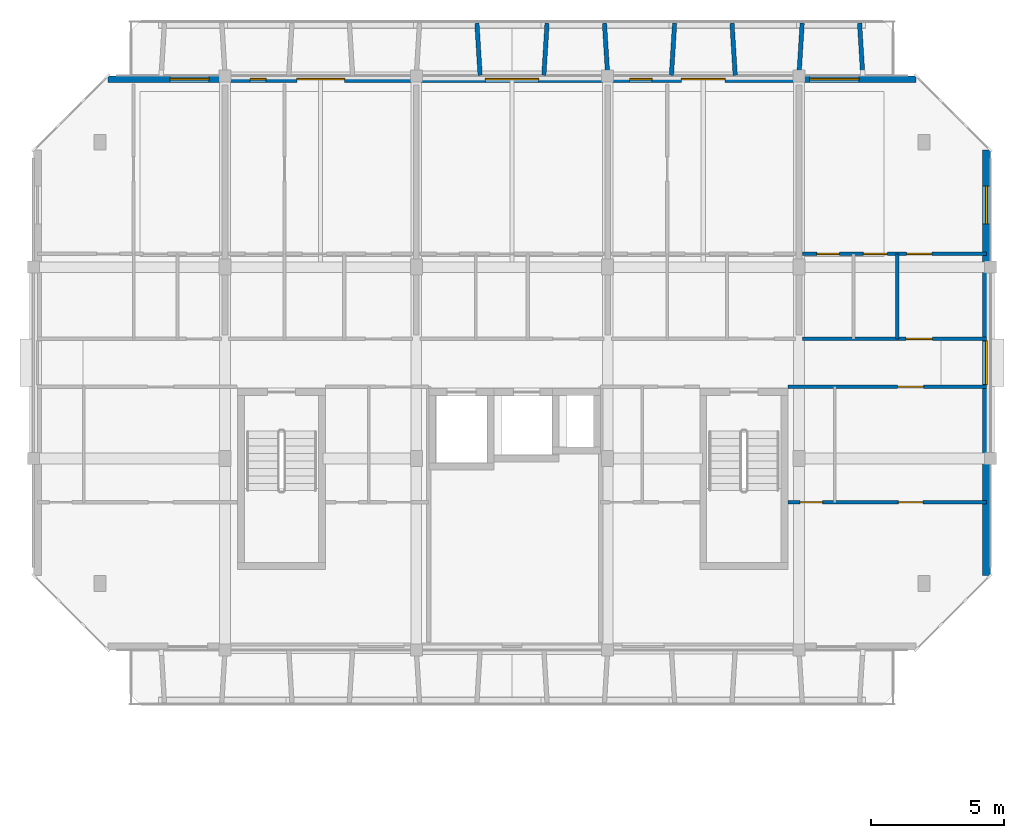
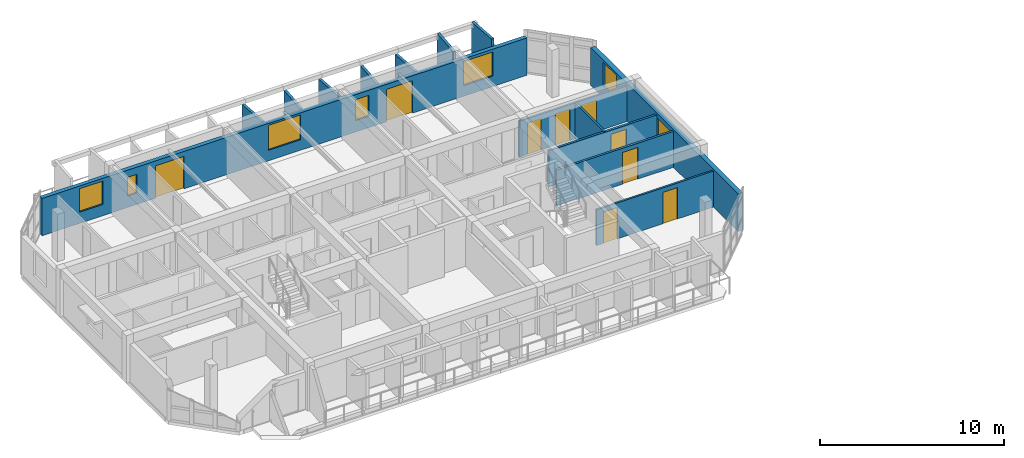
# One storey, part 14 of 22: 14 walls, 9 doors, 7 windows, 16 openings.
"""IFC4 building model written with IfcOpenShell, lengths in metres."""

from ifc_helpers import new_model, si_unit, direction, frame, frame_2d, origin, place, context, subcontext, project, spatial, rectangle, extrude, material, layer, layer_set, type_object, element, fill, save


model = new_model("IFC4")

# Units and contexts
model_context = context("Model", 3, precision=1e-05, world=origin(), true_north=direction((0.0, 1.0)))
body_context = subcontext(model_context, "Body", "Model", "MODEL_VIEW")
ifc_project = project(units=[si_unit("LENGTHUNIT", "METRE"), si_unit("AREAUNIT", "SQUARE_METRE"), si_unit("VOLUMEUNIT", "CUBIC_METRE"), si_unit("PLANEANGLEUNIT", "RADIAN"), si_unit("MASSUNIT", "GRAM", prefix="KILO")], contexts=[model_context])

# Site, building, storey
site_placement = place(None, origin())
site = spatial("IfcSite", under=ifc_project, at=site_placement, CompositionType="ELEMENT")
building_placement = place(site_placement, origin())
building = spatial("IfcBuilding", under=site, at=building_placement, Name="Ochrevale Crest", CompositionType="ELEMENT")
storey_placement = place(building_placement, frame((0.0, 0.0, 40.199951171875)))
storey = spatial("IfcBuildingStorey", under=building, at=storey_placement, Name="L12", CompositionType="ELEMENT", Elevation=40.199951171875)

# Wall, opening, door
ifc_material_1 = material(Name="Gypsum plasterboard", Category="gypsum")
ifc_layer_1 = layer(ifc_material_1, 0.139892578125)
ifc_layer_set_1 = layer_set([ifc_layer_1], Name="Gypsum plasterboard")
wall_type_1 = type_object("IfcWallType", Name="WL-COR-140", PredefinedType="PARTITIONING", material=ifc_layer_set_1)
wall_1_placement = place(storey_placement, frame((158.5400390625, 83.699951171875, 0.0), z_axis=(0.0, 0.0, 1.0), x_axis=(1.0, 0.0, 0.0)))
wall_1 = element("IfcWall", 1, at=wall_1_placement, inside=storey, type_object=wall_type_1, Name="Apartment D-L12-U5 corridor wall", PredefinedType="PARTITIONING", context=body_context, shape_type="SweptSolid", body=[
    extrude(rectangle(XDim=6.919921875, YDim=0.139892578125, at=frame_2d((3.4599609375, 0.0))), origin(), (0.0, 0.0, 1.0), 2.380126953125),
])
opening_1_placement = place(wall_1_placement, frame((4.875, 0.0, 0.0), z_axis=(0.0, 0.0, 1.0), x_axis=(-1.0, 0.0, 0.0)))
opening_1 = element("IfcOpeningElement", 2, at=opening_1_placement, cuts=wall_1, Name="Opening FD01", PredefinedType="OPENING", context=body_context, shape_type="SweptSolid", body=[
    extrude(rectangle(XDim=0.97998046875, YDim=2.10009765625, at=frame_2d((0.489990234375, 1.050048828125))), frame((0.0, 0.080078125, 0.0), z_axis=(0.0, -1.0, 0.0), x_axis=(1.0, 0.0, 0.0)), (0.0, 0.0, 1.0), 0.159912109375),
])
ifc_material_2 = material(Name="Solid-core FSC hardwood", Category="wood")
door_type_1 = type_object("IfcDoorType", Name="DR-APT-950", OperationType="NOTDEFINED", PredefinedType="DOOR", material=ifc_material_2)
door_1_placement = place(opening_1_placement, origin())
door_1 = element("IfcDoor", 3, at=door_1_placement, inside=storey, type_object=door_type_1, Name="Apartment D-L12-U5 entrance door", OperationType="SINGLE_SWING_RIGHT", OverallHeight=2.10009765625, OverallWidth=0.97998046875, PredefinedType="DOOR", context=body_context, shape_type="SweptSolid", body=[
    extrude(rectangle(XDim=0.97998046875, YDim=2.10009765625, at=frame_2d((0.489990234375, 1.050048828125))), frame((0.0, 0.02490234375, 0.0), z_axis=(0.0, -1.0, 0.0), x_axis=(1.0, 0.0, 0.0)), (0.0, 0.0, 1.0), 0.050048828125),
])
fill(opening_1, door_1)

wall_2_placement = place(storey_placement, frame((157.989990234375, 81.89990234375, 0.0), z_axis=(0.0, 0.0, 1.0), x_axis=(1.0, 0.0, 0.0)))
wall_2 = element("IfcWall", 4, at=wall_2_placement, inside=storey, type_object=wall_type_1, Name="Suite D-L12-CE corridor wall", PredefinedType="PARTITIONING", context=body_context, shape_type="SweptSolid", body=[
    extrude(rectangle(XDim=7.469970703125, YDim=0.139892578125, at=frame_2d((3.73486328125, 0.0))), origin(), (0.0, 0.0, 1.0), 2.380126953125),
])
opening_2_placement = place(wall_2_placement, frame((4.1201171875, 0.0, 0.0)))
opening_2 = element("IfcOpeningElement", 5, at=opening_2_placement, cuts=wall_2, Name="Opening FD01", PredefinedType="OPENING", context=body_context, shape_type="SweptSolid", body=[
    extrude(rectangle(XDim=0.97998046875, YDim=2.10009765625, at=frame_2d((0.489990234375, 1.050048828125))), frame((0.0, 0.080078125, 0.0), z_axis=(0.0, -1.0, 0.0), x_axis=(1.0, 0.0, 0.0)), (0.0, 0.0, 1.0), 0.159912109375),
])
door_2_placement = place(opening_2_placement, origin())
door_2 = element("IfcDoor", 6, at=door_2_placement, inside=storey, type_object=door_type_1, Name="Suite D-L12-CE entrance door", OperationType="SINGLE_SWING_LEFT", OverallHeight=2.10009765625, OverallWidth=0.97998046875, PredefinedType="DOOR", context=body_context, shape_type="SweptSolid", body=[
    extrude(rectangle(XDim=0.97998046875, YDim=2.10009765625, at=frame_2d((0.489990234375, 1.050048828125))), frame((0.0, 0.02490234375, 0.0), z_axis=(0.0, -1.0, 0.0), x_axis=(1.0, 0.0, 0.0)), (0.0, 0.0, 1.0), 0.050048828125),
])
fill(opening_2, door_2)

# Wall, openings, windows
ifc_material_3 = material(Name="Clay face brickwork", Category="masonry")
ifc_layer_2 = layer(ifc_material_3, 0.2900390625)
ifc_layer_set_2 = layer_set([ifc_layer_2], Name="Clay face brickwork")
wall_type_2 = type_object("IfcWallType", Name="WL-EXT-BRICK-290", PredefinedType="SOLIDWALL", material=ifc_layer_set_2)
wall_3_placement = place(storey_placement, frame((165.455078125, 74.800048828125, 0.0), z_axis=(0.0, 0.0, 1.0), x_axis=(0.0, 1.0, 0.0)))
wall_3 = element("IfcWall", 7, at=wall_3_placement, inside=storey, type_object=wall_type_2, Name="Block D L12 external facade wall E3", PredefinedType="SOLIDWALL", context=body_context, shape_type="SweptSolid", body=[
    extrude(rectangle(XDim=16.0, YDim=0.2900390625, at=frame_2d((8.0, 0.0))), origin(), (0.0, 0.0, 1.0), 2.510009765625),
])
opening_3_placement = place(wall_3_placement, frame((7.175048828125, 0.0, 1.050048828125)))
opening_3 = element("IfcOpeningElement", 8, at=opening_3_placement, cuts=wall_3, Name="Opening W19", PredefinedType="OPENING", context=body_context, shape_type="SweptSolid", body=[
    extrude(rectangle(XDim=1.64990234375, YDim=1.14990234375, at=frame_2d((0.824951171875, 0.574951171875))), frame((0.0, 0.155029296875, 0.0), z_axis=(0.0, -1.0, 0.0), x_axis=(1.0, 0.0, 0.0)), (0.0, 0.0, 1.0), 0.31005859375),
])
opening_4_placement = place(wall_3_placement, frame((13.22509765625, 0.0, 0.75)))
opening_4 = element("IfcOpeningElement", 9, at=opening_4_placement, cuts=wall_3, Name="Opening W31", PredefinedType="OPENING", context=body_context, shape_type="SweptSolid", body=[
    extrude(rectangle(XDim=1.419921875, YDim=1.60009765625, at=frame_2d((0.7099609375, 0.800048828125))), frame((0.0, 0.155029296875, 0.0), z_axis=(0.0, -1.0, 0.0), x_axis=(1.0, 0.0, 0.0)), (0.0, 0.0, 1.0), 0.31005859375),
])
ifc_material_4 = material(Name="Anodised aluminium 6063-T5 and low-E double glazing", Category="aluminium")
window_type_1 = type_object("IfcWindowType", Name="WIN-W19", PartitioningType="SINGLE_PANEL", PredefinedType="WINDOW", material=ifc_material_4)
window_1_placement = place(opening_3_placement, origin())
window_1 = element("IfcWindow", 10, at=window_1_placement, inside=storey, type_object=window_type_1, Name="Block D L12 corridor end daylight window E", OverallHeight=1.14990234375, OverallWidth=1.64990234375, PartitioningType="SINGLE_PANEL", PredefinedType="WINDOW", context=body_context, shape_type="SweptSolid", body=[
    extrude(rectangle(XDim=1.64990234375, YDim=1.14990234375, at=frame_2d((0.824951171875, 0.574951171875))), frame((0.0, 0.030029296875, 0.0), z_axis=(0.0, -1.0, 0.0), x_axis=(1.0, 0.0, 0.0)), (0.0, 0.0, 1.0), 0.06005859375),
])
fill(opening_3, window_1)
window_type_2 = type_object("IfcWindowType", Name="WIN-W31", PartitioningType="SINGLE_PANEL", PredefinedType="WINDOW", material=ifc_material_4)
window_2_placement = place(opening_4_placement, origin())
window_2 = element("IfcWindow", 11, at=window_2_placement, inside=storey, type_object=window_type_2, Name="Block D L12 side suite window E", OverallHeight=1.60009765625, OverallWidth=1.419921875, PartitioningType="SINGLE_PANEL", PredefinedType="WINDOW", context=body_context, shape_type="SweptSolid", body=[
    extrude(rectangle(XDim=1.419921875, YDim=1.60009765625, at=frame_2d((0.7099609375, 0.800048828125))), frame((0.0, 0.030029296875, 0.0), z_axis=(0.0, -1.0, 0.0), x_axis=(1.0, 0.0, 0.0)), (0.0, 0.0, 1.0), 0.06005859375),
])
fill(opening_4, window_2)

# Wall, openings, doors, windows
ifc_material_5 = material(Name="Precast concrete C40/50", Category="concrete")
ifc_layer_3 = layer(ifc_material_5, 0.25)
ifc_layer_set_3 = layer_set([ifc_layer_3], Name="Precast concrete C40/50")
wall_type_3 = type_object("IfcWallType", Name="WL-EXT-GOLD-250", PredefinedType="SOLIDWALL", material=ifc_layer_set_3)
wall_4_placement = place(storey_placement, frame((162.800048828125, 93.47509765625, 0.0), z_axis=(0.0, 0.0, 1.0), x_axis=(-1.0, 0.0, 0.0)))
wall_4 = element("IfcWall", 12, at=wall_4_placement, inside=storey, type_object=wall_type_3, Name="Block D L12 external facade wall E5", PredefinedType="SOLIDWALL", context=body_context, shape_type="SweptSolid", body=[
    extrude(rectangle(XDim=30.400146484375, YDim=0.25, at=frame_2d((15.2001953125, 0.0))), origin(), (0.0, 0.0, 1.0), 2.47998046875),
])
opening_5_placement = place(wall_4_placement, frame((23.300048828125, 0.0, 0.0), z_axis=(0.0, 0.0, 1.0), x_axis=(-1.0, 0.0, 0.0)))
opening_5 = element("IfcOpeningElement", 13, at=opening_5_placement, cuts=wall_4, Name="Opening BD03", PredefinedType="OPENING", context=body_context, shape_type="SweptSolid", body=[
    extrude(rectangle(XDim=1.800048828125, YDim=2.14990234375, at=frame_2d((0.89990234375, 1.074951171875))), frame((0.0, 0.135009765625, 0.0), z_axis=(0.0, -1.0, 0.0), x_axis=(1.0, 0.0, 0.0)), (0.0, 0.0, 1.0), 0.27001953125),
])
opening_6_placement = place(wall_4_placement, frame((8.824951171875, 0.0, 0.0), z_axis=(0.0, 0.0, 1.0), x_axis=(-1.0, 0.0, 0.0)))
opening_6 = element("IfcOpeningElement", 14, at=opening_6_placement, cuts=wall_4, Name="Opening BD02", PredefinedType="OPENING", context=body_context, shape_type="SweptSolid", body=[
    extrude(rectangle(XDim=1.64990234375, YDim=2.14990234375, at=frame_2d((0.824951171875, 1.074951171875))), frame((0.0, 0.135009765625, 0.0), z_axis=(0.0, -1.0, 0.0), x_axis=(1.0, 0.0, 0.0)), (0.0, 0.0, 1.0), 0.27001953125),
])
opening_7_placement = place(wall_4_placement, frame((26.6025390625, 0.0, 0.75)))
opening_7 = element("IfcOpeningElement", 15, at=opening_7_placement, cuts=wall_4, Name="Opening W08", PredefinedType="OPENING", context=body_context, shape_type="SweptSolid", body=[
    extrude(rectangle(XDim=1.4599609375, YDim=1.550048828125, at=frame_2d((0.72998046875, 0.77490234375))), frame((0.0, 0.135009765625, 0.0), z_axis=(0.0, -1.0, 0.0), x_axis=(1.0, 0.0, 0.0)), (0.0, 0.0, 1.0), 0.27001953125),
])
opening_8_placement = place(wall_4_placement, frame((24.452392578125, 0.0, 0.75)))
opening_8 = element("IfcOpeningElement", 16, at=opening_8_placement, cuts=wall_4, Name="Opening W01", PredefinedType="OPENING", context=body_context, shape_type="SweptSolid", body=[
    extrude(rectangle(XDim=0.60009765625, YDim=1.25, at=frame_2d((0.300048828125, 0.625))), frame((0.0, 0.135009765625, 0.0), z_axis=(0.0, -1.0, 0.0), x_axis=(1.0, 0.0, 0.0)), (0.0, 0.0, 1.0), 0.27001953125),
])
opening_9_placement = place(wall_4_placement, frame((14.199951171875, 0.0, 0.699951171875)))
opening_9 = element("IfcOpeningElement", 17, at=opening_9_placement, cuts=wall_4, Name="Opening W12", PredefinedType="OPENING", context=body_context, shape_type="SweptSolid", body=[
    extrude(rectangle(XDim=2.0, YDim=1.64990234375, at=frame_2d((1.0, 0.824951171875))), frame((0.0, 0.135009765625, 0.0), z_axis=(0.0, -1.0, 0.0), x_axis=(1.0, 0.0, 0.0)), (0.0, 0.0, 1.0), 0.27001953125),
])
opening_10_placement = place(wall_4_placement, frame((9.927490234375, 0.0, 0.75)))
opening_10 = element("IfcOpeningElement", 18, at=opening_10_placement, cuts=wall_4, Name="Opening W03", PredefinedType="OPENING", context=body_context, shape_type="SweptSolid", body=[
    extrude(rectangle(XDim=0.85009765625, YDim=1.39990234375, at=frame_2d((0.425048828125, 0.699951171875))), frame((0.0, 0.135009765625, 0.0), z_axis=(0.0, -1.0, 0.0), x_axis=(1.0, 0.0, 0.0)), (0.0, 0.0, 1.0), 0.27001953125),
])
opening_11_placement = place(wall_4_placement, frame((2.137451171875, 0.0, 0.699951171875)))
opening_11 = element("IfcOpeningElement", 19, at=opening_11_placement, cuts=wall_4, Name="Opening W11", PredefinedType="OPENING", context=body_context, shape_type="SweptSolid", body=[
    extrude(rectangle(XDim=1.860107421875, YDim=1.60009765625, at=frame_2d((0.93017578125, 0.800048828125))), frame((0.0, 0.135009765625, 0.0), z_axis=(0.0, -1.0, 0.0), x_axis=(1.0, 0.0, 0.0)), (0.0, 0.0, 1.0), 0.27001953125),
])
ifc_material_6 = material(Name="Anodised aluminium 6063-T5 and toughened glass", Category="aluminium")
door_type_2 = type_object("IfcDoorType", Name="DR-BAL-1650", OperationType="NOTDEFINED", PredefinedType="DOOR", material=ifc_material_6)
door_3_placement = place(opening_6_placement, origin())
door_3 = element("IfcDoor", 20, at=door_3_placement, inside=storey, type_object=door_type_2, Name="Block D L12 balcony door N4", OperationType="SINGLE_SWING_RIGHT", OverallHeight=2.14990234375, OverallWidth=1.64990234375, PredefinedType="DOOR", context=body_context, shape_type="SweptSolid", body=[
    extrude(rectangle(XDim=1.64990234375, YDim=2.14990234375, at=frame_2d((0.824951171875, 1.074951171875))), frame((0.0, 0.02490234375, 0.0), z_axis=(0.0, -1.0, 0.0), x_axis=(1.0, 0.0, 0.0)), (0.0, 0.0, 1.0), 0.050048828125),
])
fill(opening_6, door_3)
door_type_3 = type_object("IfcDoorType", Name="DR-BAL-1800", OperationType="NOTDEFINED", PredefinedType="DOOR", material=ifc_material_6)
door_4_placement = place(opening_5_placement, origin())
door_4 = element("IfcDoor", 21, at=door_4_placement, inside=storey, type_object=door_type_3, Name="Block D L12 balcony door N2", OperationType="SINGLE_SWING_LEFT", OverallHeight=2.14990234375, OverallWidth=1.800048828125, PredefinedType="DOOR", context=body_context, shape_type="SweptSolid", body=[
    extrude(rectangle(XDim=1.800048828125, YDim=2.14990234375, at=frame_2d((0.89990234375, 1.074951171875))), frame((0.0, 0.02490234375, 0.0), z_axis=(0.0, -1.0, 0.0), x_axis=(1.0, 0.0, 0.0)), (0.0, 0.0, 1.0), 0.050048828125),
])
fill(opening_5, door_4)
window_type_3 = type_object("IfcWindowType", Name="WIN-W01", PartitioningType="SINGLE_PANEL", PredefinedType="WINDOW", material=ifc_material_4)
window_3_placement = place(opening_8_placement, origin())
window_3 = element("IfcWindow", 22, at=window_3_placement, inside=storey, type_object=window_type_3, Name="Block D L12 Apartment D-L12-U2 Twin Bedroom window", OverallHeight=1.25, OverallWidth=0.60009765625, PartitioningType="SINGLE_PANEL", PredefinedType="WINDOW", context=body_context, shape_type="SweptSolid", body=[
    extrude(rectangle(XDim=0.60009765625, YDim=1.25, at=frame_2d((0.300048828125, 0.625))), frame((0.0, 0.030029296875, 0.0), z_axis=(0.0, -1.0, 0.0), x_axis=(1.0, 0.0, 0.0)), (0.0, 0.0, 1.0), 0.06005859375),
])
fill(opening_8, window_3)
window_type_4 = type_object("IfcWindowType", Name="WIN-W03", PartitioningType="SINGLE_PANEL", PredefinedType="WINDOW", material=ifc_material_4)
window_4_placement = place(opening_10_placement, origin())
window_4 = element("IfcWindow", 23, at=window_4_placement, inside=storey, type_object=window_type_4, Name="Block D L12 Apartment D-L12-U4 Master Bedroom window", OverallHeight=1.39990234375, OverallWidth=0.85009765625, PartitioningType="SINGLE_PANEL", PredefinedType="WINDOW", context=body_context, shape_type="SweptSolid", body=[
    extrude(rectangle(XDim=0.85009765625, YDim=1.39990234375, at=frame_2d((0.425048828125, 0.699951171875))), frame((0.0, 0.030029296875, 0.0), z_axis=(0.0, -1.0, 0.0), x_axis=(1.0, 0.0, 0.0)), (0.0, 0.0, 1.0), 0.06005859375),
])
fill(opening_10, window_4)
window_type_5 = type_object("IfcWindowType", Name="WIN-W08", PartitioningType="SINGLE_PANEL", PredefinedType="WINDOW", material=ifc_material_4)
window_5_placement = place(opening_7_placement, origin())
window_5 = element("IfcWindow", 24, at=window_5_placement, inside=storey, type_object=window_type_5, Name="Block D L12 Apartment D-L12-U1 One Bedroom Living Room window", OverallHeight=1.550048828125, OverallWidth=1.4599609375, PartitioningType="SINGLE_PANEL", PredefinedType="WINDOW", context=body_context, shape_type="SweptSolid", body=[
    extrude(rectangle(XDim=1.4599609375, YDim=1.550048828125, at=frame_2d((0.72998046875, 0.77490234375))), frame((0.0, 0.030029296875, 0.0), z_axis=(0.0, -1.0, 0.0), x_axis=(1.0, 0.0, 0.0)), (0.0, 0.0, 1.0), 0.06005859375),
])
fill(opening_7, window_5)
window_type_6 = type_object("IfcWindowType", Name="WIN-W11", PartitioningType="SINGLE_PANEL", PredefinedType="WINDOW", material=ifc_material_4)
window_6_placement = place(opening_11_placement, origin())
window_6 = element("IfcWindow", 25, at=window_6_placement, inside=storey, type_object=window_type_6, Name="Block D L12 Studio D-L12-U5 Living Room window", OverallHeight=1.60009765625, OverallWidth=1.860107421875, PartitioningType="SINGLE_PANEL", PredefinedType="WINDOW", context=body_context, shape_type="SweptSolid", body=[
    extrude(rectangle(XDim=1.860107421875, YDim=1.60009765625, at=frame_2d((0.93017578125, 0.800048828125))), frame((0.0, 0.030029296875, 0.0), z_axis=(0.0, -1.0, 0.0), x_axis=(1.0, 0.0, 0.0)), (0.0, 0.0, 1.0), 0.06005859375),
])
fill(opening_11, window_6)
window_type_7 = type_object("IfcWindowType", Name="WIN-W12", PartitioningType="SINGLE_PANEL", PredefinedType="WINDOW", material=ifc_material_4)
window_7_placement = place(opening_9_placement, origin())
window_7 = element("IfcWindow", 26, at=window_7_placement, inside=storey, type_object=window_type_7, Name="Block D L12 Studio D-L12-U3 Living Room window", OverallHeight=1.64990234375, OverallWidth=2.0, PartitioningType="SINGLE_PANEL", PredefinedType="WINDOW", context=body_context, shape_type="SweptSolid", body=[
    extrude(rectangle(XDim=2.0, YDim=1.64990234375, at=frame_2d((1.0, 0.824951171875))), frame((0.0, 0.030029296875, 0.0), z_axis=(0.0, -1.0, 0.0), x_axis=(1.0, 0.0, 0.0)), (0.0, 0.0, 1.0), 0.06005859375),
])
fill(opening_9, window_7)

# Walls
ifc_layer_4 = layer(ifc_material_5, 0.1650390625)
ifc_layer_set_4 = layer_set([ifc_layer_4], Name="Precast concrete C40/50")
wall_type_4 = type_object("IfcWallType", Name="WL-HC-CHEEK-165", PredefinedType="ELEMENTEDWALL", material=ifc_layer_set_4)
for number, where, z_axis, x_axis, name in (
    (27, (146.39990234375, 93.6201171875, 0.0), (0.0, 0.0, 1.0), (-0.061046865508, 0.998134900808, 0.0), "Block D L12 N precast honeycomb cheek 6"),
    (28, (148.800048828125, 93.6201171875, 0.0), (0.0, 0.0, 1.0), (0.061046865508, 0.998134900808, 0.0), "Block D L12 N precast honeycomb cheek 7"),
    (29, (151.199951171875, 93.6201171875, 0.0), (0.0, 0.0, 1.0), (-0.061046865508, 0.998134900808, 0.0), "Block D L12 N precast honeycomb cheek 8"),
):
    element("IfcWall", number, at=place(storey_placement, frame(where, z_axis=z_axis, x_axis=x_axis)), inside=storey, type_object=wall_type_4, Name=name, PredefinedType="ELEMENTEDWALL", context=body_context, shape_type="SweptSolid", body=[
        extrude(rectangle(XDim=1.963623046875, YDim=0.1650390625, at=frame_2d((0.98193359375, 0.0))), origin(), (0.0, 0.0, 1.0), 2.530029296875),
    ])
for number, where, z_axis, x_axis, name in (
    (30, (153.60009765625, 93.6201171875, 0.0), (0.0, 0.0, 1.0), (0.061046865508, 0.998134900808, 0.0), "Block D L12 N precast honeycomb cheek 9"),
    (31, (156.0, 93.6201171875, 0.0), (0.0, 0.0, 1.0), (-0.061170732449, 0.998127317276, 0.0), "Block D L12 N precast honeycomb cheek 10"),
):
    element("IfcWall", number, at=place(storey_placement, frame(where, z_axis=z_axis, x_axis=x_axis)), inside=storey, type_object=wall_type_4, Name=name, PredefinedType="ELEMENTEDWALL", context=body_context, shape_type="SweptSolid", body=[
        extrude(rectangle(XDim=1.963623046875, YDim=0.1650390625, at=frame_2d((0.98193359375, 0.0))), origin(), (0.0, 0.0, 1.0), 2.47998046875),
    ])
for number, where, z_axis, x_axis, name in (
    (32, (158.39990234375, 93.6201171875, 0.0), (0.0, 0.0, 1.0), (0.061170732449, 0.998127317276, 0.0), "Block D L12 N precast honeycomb cheek 11"),
    (33, (160.800048828125, 93.6201171875, 0.0), (0.0, 0.0, 1.0), (-0.061170732449, 0.998127317276, 0.0), "Block D L12 N precast honeycomb cheek 12"),
):
    element("IfcWall", number, at=place(storey_placement, frame(where, z_axis=z_axis, x_axis=x_axis)), inside=storey, type_object=wall_type_4, Name=name, PredefinedType="ELEMENTEDWALL", context=body_context, shape_type="SweptSolid", body=[
        extrude(rectangle(XDim=1.963623046875, YDim=0.1650390625, at=frame_2d((0.98193359375, 0.0))), origin(), (0.0, 0.0, 1.0), 2.949951171875),
    ])
ifc_layer_5 = layer(ifc_material_1, 0.1201171875)
ifc_layer_set_5 = layer_set([ifc_layer_5], Name="Gypsum plasterboard")
wall_type_5 = type_object("IfcWallType", Name="WL-PART-120", PredefinedType="PARTITIONING", material=ifc_layer_set_5)
wall_5_placement = place(storey_placement, frame((162.10009765625, 83.699951171875, 0.0), z_axis=(0.0, 0.0, 1.0), x_axis=(0.0, 1.0, 0.0)))
element("IfcWall", 34, at=wall_5_placement, inside=storey, type_object=wall_type_5, Name="Apartment D-L12-U5 kitchen-foyer wall", PredefinedType="PARTITIONING", context=body_context, shape_type="SweptSolid", body=[
    extrude(rectangle(XDim=3.199951171875, YDim=0.1201171875, at=frame_2d((1.60009765625, 0.0))), origin(), (0.0, 0.0, 1.0), 2.380126953125),
])

# Wall, openings, doors
wall_6_placement = place(storey_placement, frame((158.5400390625, 86.89990234375, 0.0), z_axis=(0.0, 0.0, 1.0), x_axis=(1.0, 0.0, 0.0)))
wall_6 = element("IfcWall", 35, at=wall_6_placement, inside=storey, type_object=wall_type_5, Name="Apartment D-L12-U5 central partition", PredefinedType="PARTITIONING", context=body_context, shape_type="SweptSolid", body=[
    extrude(rectangle(XDim=6.919921875, YDim=0.1201171875, at=frame_2d((3.4599609375, 0.0))), origin(), (0.0, 0.0, 1.0), 2.380126953125),
])
opening_12_placement = place(wall_6_placement, frame((0.530029296875, 0.0, 0.0)))
opening_12 = element("IfcOpeningElement", 36, at=opening_12_placement, cuts=wall_6, Name="Opening ID01", PredefinedType="OPENING", context=body_context, shape_type="SweptSolid", body=[
    extrude(rectangle(XDim=0.85009765625, YDim=2.080078125, at=frame_2d((0.425048828125, 1.0400390625))), frame((0.0, 0.070068359375, 0.0), z_axis=(0.0, -1.0, 0.0), x_axis=(1.0, 0.0, 0.0)), (0.0, 0.0, 1.0), 0.14013671875),
])
opening_13_placement = place(wall_6_placement, frame((3.184814453125, 0.0, 0.0), z_axis=(0.0, 0.0, 1.0), x_axis=(-1.0, 0.0, 0.0)))
opening_13 = element("IfcOpeningElement", 37, at=opening_13_placement, cuts=wall_6, Name="Opening ID02", PredefinedType="OPENING", context=body_context, shape_type="SweptSolid", body=[
    extrude(rectangle(XDim=0.89990234375, YDim=2.080078125, at=frame_2d((0.449951171875, 1.0400390625))), frame((0.0, 0.070068359375, 0.0), z_axis=(0.0, -1.0, 0.0), x_axis=(1.0, 0.0, 0.0)), (0.0, 0.0, 1.0), 0.14013671875),
])
opening_14_placement = place(wall_6_placement, frame((3.909912109375, 0.0, 0.0)))
opening_14 = element("IfcOpeningElement", 38, at=opening_14_placement, cuts=wall_6, Name="Opening ID06", PredefinedType="OPENING", context=body_context, shape_type="SweptSolid", body=[
    extrude(rectangle(XDim=0.949951171875, YDim=2.080078125, at=frame_2d((0.47509765625, 1.0400390625))), frame((0.0, 0.070068359375, 0.0), z_axis=(0.0, -1.0, 0.0), x_axis=(1.0, 0.0, 0.0)), (0.0, 0.0, 1.0), 0.14013671875),
])
door_type_4 = type_object("IfcDoorType", Name="DR-INT-900", OperationType="NOTDEFINED", PredefinedType="DOOR", material=ifc_material_2)
door_5_placement = place(opening_13_placement, origin())
door_5 = element("IfcDoor", 39, at=door_5_placement, inside=storey, type_object=door_type_4, Name="Apartment D-L12-U5 Kitchen door", OperationType="SINGLE_SWING_RIGHT", OverallHeight=2.080078125, OverallWidth=0.89990234375, PredefinedType="DOOR", context=body_context, shape_type="SweptSolid", body=[
    extrude(rectangle(XDim=0.89990234375, YDim=2.080078125, at=frame_2d((0.449951171875, 1.0400390625))), frame((0.0, 0.02490234375, 0.0), z_axis=(0.0, -1.0, 0.0), x_axis=(1.0, 0.0, 0.0)), (0.0, 0.0, 1.0), 0.050048828125),
])
fill(opening_13, door_5)
door_type_5 = type_object("IfcDoorType", Name="DR-INT-950", OperationType="NOTDEFINED", PredefinedType="DOOR", material=ifc_material_2)
door_6_placement = place(opening_14_placement, origin())
door_6 = element("IfcDoor", 40, at=door_6_placement, inside=storey, type_object=door_type_5, Name="Apartment D-L12-U5 Living Foyer door", OperationType="SINGLE_SWING_LEFT", OverallHeight=2.080078125, OverallWidth=0.949951171875, PredefinedType="DOOR", context=body_context, shape_type="SweptSolid", body=[
    extrude(rectangle(XDim=0.949951171875, YDim=2.080078125, at=frame_2d((0.47509765625, 1.0400390625))), frame((0.0, 0.02490234375, 0.0), z_axis=(0.0, -1.0, 0.0), x_axis=(1.0, 0.0, 0.0)), (0.0, 0.0, 1.0), 0.050048828125),
])
fill(opening_14, door_6)
door_type_6 = type_object("IfcDoorType", Name="DR-WC-850", OperationType="NOTDEFINED", PredefinedType="DOOR", material=ifc_material_2)
door_7_placement = place(opening_12_placement, origin())
door_7 = element("IfcDoor", 41, at=door_7_placement, inside=storey, type_object=door_type_6, Name="Apartment D-L12-U5 Bathroom door", OperationType="SINGLE_SWING_LEFT", OverallHeight=2.080078125, OverallWidth=0.85009765625, PredefinedType="DOOR", context=body_context, shape_type="SweptSolid", body=[
    extrude(rectangle(XDim=0.85009765625, YDim=2.080078125, at=frame_2d((0.425048828125, 1.0400390625))), frame((0.0, 0.02490234375, 0.0), z_axis=(0.0, -1.0, 0.0), x_axis=(1.0, 0.0, 0.0)), (0.0, 0.0, 1.0), 0.050048828125),
])
fill(opening_12, door_7)

wall_7_placement = place(storey_placement, frame((157.989990234375, 77.550048828125, 0.0), z_axis=(0.0, 0.0, 1.0), x_axis=(1.0, 0.0, 0.0)))
wall_7 = element("IfcWall", 42, at=wall_7_placement, inside=storey, type_object=wall_type_5, Name="Suite D-L12-CE internal wall", PredefinedType="PARTITIONING", context=body_context, shape_type="SweptSolid", body=[
    extrude(rectangle(XDim=7.469970703125, YDim=0.1201171875, at=frame_2d((3.73486328125, 0.0))), origin(), (0.0, 0.0, 1.0), 2.380126953125),
])
opening_15_placement = place(wall_7_placement, frame((1.300048828125, 0.0, 0.0), z_axis=(0.0, 0.0, 1.0), x_axis=(-1.0, 0.0, 0.0)))
opening_15 = element("IfcOpeningElement", 43, at=opening_15_placement, cuts=wall_7, Name="Opening ID01", PredefinedType="OPENING", context=body_context, shape_type="SweptSolid", body=[
    extrude(rectangle(XDim=0.85009765625, YDim=2.080078125, at=frame_2d((0.425048828125, 1.0400390625))), frame((0.0, 0.070068359375, 0.0), z_axis=(0.0, -1.0, 0.0), x_axis=(1.0, 0.0, 0.0)), (0.0, 0.0, 1.0), 0.14013671875),
])
opening_16_placement = place(wall_7_placement, frame((4.14990234375, 0.0, 0.0)))
opening_16 = element("IfcOpeningElement", 44, at=opening_16_placement, cuts=wall_7, Name="Opening ID04", PredefinedType="OPENING", context=body_context, shape_type="SweptSolid", body=[
    extrude(rectangle(XDim=0.919921875, YDim=2.080078125, at=frame_2d((0.4599609375, 1.0400390625))), frame((0.0, 0.070068359375, 0.0), z_axis=(0.0, -1.0, 0.0), x_axis=(1.0, 0.0, 0.0)), (0.0, 0.0, 1.0), 0.14013671875),
])
door_type_7 = type_object("IfcDoorType", Name="DR-INT-920", OperationType="NOTDEFINED", PredefinedType="DOOR", material=ifc_material_2)
door_8_placement = place(opening_16_placement, origin())
door_8 = element("IfcDoor", 45, at=door_8_placement, inside=storey, type_object=door_type_7, Name="Suite D-L12-CE Master Bedroom door", OperationType="SINGLE_SWING_LEFT", OverallHeight=2.080078125, OverallWidth=0.919921875, PredefinedType="DOOR", context=body_context, shape_type="SweptSolid", body=[
    extrude(rectangle(XDim=0.919921875, YDim=2.080078125, at=frame_2d((0.4599609375, 1.0400390625))), frame((0.0, 0.02490234375, 0.0), z_axis=(0.0, -1.0, 0.0), x_axis=(1.0, 0.0, 0.0)), (0.0, 0.0, 1.0), 0.050048828125),
])
fill(opening_16, door_8)
door_9_placement = place(opening_15_placement, origin())
door_9 = element("IfcDoor", 46, at=door_9_placement, inside=storey, type_object=door_type_6, Name="Suite D-L12-CE Bathroom door", OperationType="SINGLE_SWING_RIGHT", OverallHeight=2.080078125, OverallWidth=0.85009765625, PredefinedType="DOOR", context=body_context, shape_type="SweptSolid", body=[
    extrude(rectangle(XDim=0.85009765625, YDim=2.080078125, at=frame_2d((0.425048828125, 1.0400390625))), frame((0.0, 0.02490234375, 0.0), z_axis=(0.0, -1.0, 0.0), x_axis=(1.0, 0.0, 0.0)), (0.0, 0.0, 1.0), 0.050048828125),
])
fill(opening_15, door_9)

save(model, "model.ifc")
